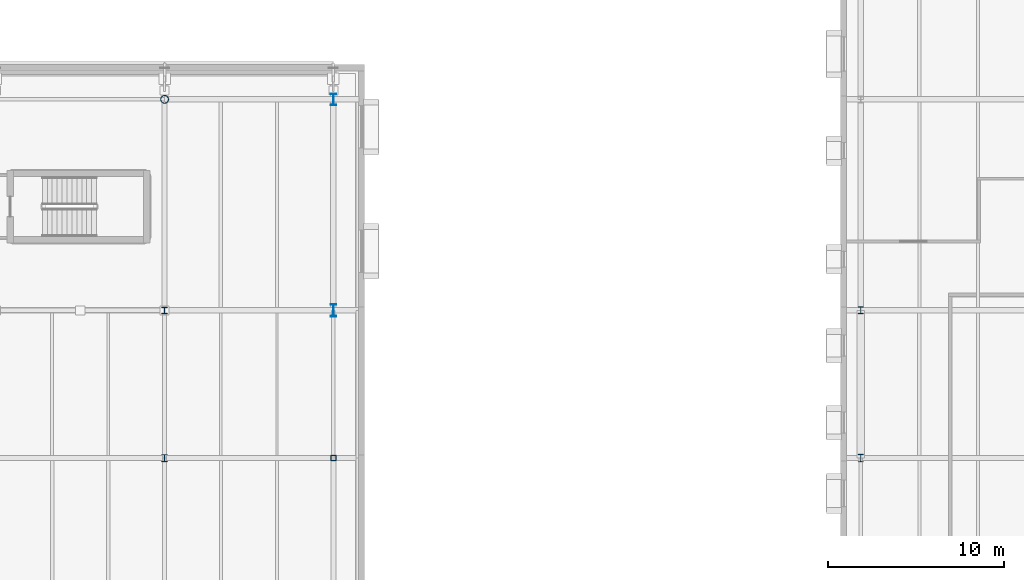
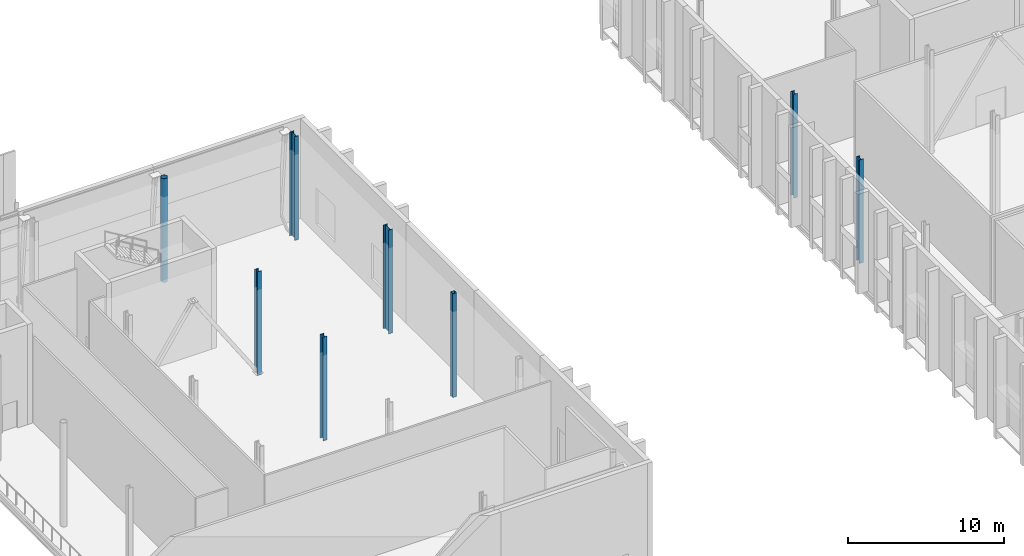
# One storey, part 10 of 79: 8 columns.
"""IFC4 building model written with IfcOpenShell, lengths in metres."""

from ifc_helpers import new_model, si_unit, direction, frame, origin, origin_2d, place, context, subcontext, project, spatial, hollow_rectangle, hollow_circle, i_section, extrude, material, material_profile, profile_set, type_object, element, save


model = new_model("IFC4")

# Units and contexts
model_context = context("Model", 3, precision=1e-05, world=origin(), true_north=direction((0.0, 1.0)))
body_context = subcontext(model_context, "Body", "Model", "MODEL_VIEW")
ifc_project = project(units=[si_unit("LENGTHUNIT", "METRE"), si_unit("AREAUNIT", "SQUARE_METRE"), si_unit("VOLUMEUNIT", "CUBIC_METRE"), si_unit("PLANEANGLEUNIT", "RADIAN"), si_unit("MASSUNIT", "GRAM", prefix="KILO")], contexts=[model_context])

# Site, building, storey
site_placement = place(None, origin())
site = spatial("IfcSite", under=ifc_project, at=site_placement, CompositionType="ELEMENT")
building_placement = place(site_placement, origin())
building = spatial("IfcBuilding", under=site, at=building_placement, Name="Zereglee Splitstone Museum", CompositionType="ELEMENT")
storey_placement = place(building_placement, frame((0.0, 0.0, 9.0)))
storey = spatial("IfcBuildingStorey", under=building, at=storey_placement, Name="L02", CompositionType="ELEMENT", Elevation=9.0)

# Columns
ifc_material_1 = material(Name="Steel S355J2H", Category="steel")
ifc_material_profile_1 = material_profile(ifc_material_1, hollow_circle(Radius=0.228515625, WallThickness=0.02001953125, at=origin_2d()), Name="CHS 457.0x20")
ifc_profile_set_1 = profile_set([ifc_material_profile_1], Name="Steel S355J2H")
column_type_1 = type_object("IfcColumnType", Name="C-17", PredefinedType="COLUMN", material=ifc_profile_set_1)
column_1_placement = place(storey_placement, frame((135.60009765625, 50.39990234375, 0.0), z_axis=(0.0, 0.0, 1.0), x_axis=(1.0, 0.0, 0.0)))
element("IfcColumn", 1, at=column_1_placement, inside=storey, type_object=column_type_1, Name="Column 16/F L02", PredefinedType="COLUMN", context=body_context, shape_type="SweptSolid", body=[
    extrude(hollow_circle(Radius=0.228515625, WallThickness=0.02001953125, at=origin_2d()), origin(), (0.0, 0.0, 1.0), 8.10009765625),
])
ifc_material_2 = material(Name="Steel S355J2", Category="steel")
ifc_material_profile_2 = material_profile(ifc_material_2, i_section(OverallWidth=0.300048828125, OverallDepth=0.360107421875, WebThickness=0.012451171875, FlangeThickness=0.0224609375, FilletRadius=0.027099609375, at=origin_2d()), Name="HE 360 B")
ifc_profile_set_2 = profile_set([ifc_material_profile_2], Name="Steel S355J2")
column_type_2 = type_object("IfcColumnType", Name="C-16", PredefinedType="COLUMN", material=ifc_profile_set_2)
column_2_placement = place(storey_placement, frame((135.60009765625, 38.39990234375, 0.0), z_axis=(0.0, 0.0, 1.0), x_axis=(1.0, 0.0, 0.0)))
element("IfcColumn", 2, at=column_2_placement, inside=storey, type_object=column_type_2, Name="Column 16/E L02", PredefinedType="COLUMN", context=body_context, shape_type="SweptSolid", body=[
    extrude(i_section(OverallWidth=0.300048828125, OverallDepth=0.360107421875, WebThickness=0.012451171875, FlangeThickness=0.0224609375, FilletRadius=0.027099609375, at=origin_2d()), origin(), (0.0, 0.0, 1.0), 8.10009765625),
])
ifc_material_profile_3 = material_profile(ifc_material_2, i_section(OverallWidth=0.300048828125, OverallDepth=0.39990234375, WebThickness=0.013427734375, FlangeThickness=0.02392578125, FilletRadius=0.027099609375, at=origin_2d()), Name="HE 400 B")
ifc_profile_set_3 = profile_set([ifc_material_profile_3], Name="Steel S355J2")
column_type_3 = type_object("IfcColumnType", Name="C-15", PredefinedType="COLUMN", material=ifc_profile_set_3)
for number, where, z_axis, x_axis, name in (
    (3, (135.60009765625, 30.0, 0.0), (0.0, 0.0, 1.0), (1.0, 0.0, 0.0), "Column 16/D L02"),
    (4, (175.199951171875, 38.39990234375, 0.0), (0.0, 0.0, 1.0), (1.0, 0.0, 0.0), "Column 20/E L02"),
):
    element("IfcColumn", number, at=place(storey_placement, frame(where, z_axis=z_axis, x_axis=x_axis)), inside=storey, type_object=column_type_3, Name=name, PredefinedType="COLUMN", context=body_context, shape_type="SweptSolid", body=[
        extrude(i_section(OverallWidth=0.300048828125, OverallDepth=0.39990234375, WebThickness=0.013427734375, FlangeThickness=0.02392578125, FilletRadius=0.027099609375, at=origin_2d()), origin(), (0.0, 0.0, 1.0), 8.10009765625),
    ])
ifc_material_profile_4 = material_profile(ifc_material_2, i_section(OverallWidth=0.300048828125, OverallDepth=0.449951171875, WebThickness=0.013916015625, FlangeThickness=0.02587890625, FilletRadius=0.027099609375, at=origin_2d()), Name="HE 450 B")
ifc_profile_set_4 = profile_set([ifc_material_profile_4], Name="Steel S355J2")
column_type_4 = type_object("IfcColumnType", Name="C-14", PredefinedType="COLUMN", material=ifc_profile_set_4)
column_3_placement = place(storey_placement, frame((175.199951171875, 30.0, 0.0), z_axis=(0.0, 0.0, 1.0), x_axis=(1.0, 0.0, 0.0)))
element("IfcColumn", 5, at=column_3_placement, inside=storey, type_object=column_type_4, Name="Column 20/D L02", PredefinedType="COLUMN", context=body_context, shape_type="SweptSolid", body=[
    extrude(i_section(OverallWidth=0.300048828125, OverallDepth=0.449951171875, WebThickness=0.013916015625, FlangeThickness=0.02587890625, FilletRadius=0.027099609375, at=origin_2d()), origin(), (0.0, 0.0, 1.0), 8.10009765625),
])
ifc_material_profile_5 = material_profile(ifc_material_2, i_section(OverallWidth=0.300048828125, OverallDepth=0.64990234375, WebThickness=0.01611328125, FlangeThickness=0.031005859375, FilletRadius=0.027099609375, at=origin_2d()), Name="HE 650 B")
ifc_profile_set_5 = profile_set([ifc_material_profile_5], Name="Steel S355J2")
column_type_5 = type_object("IfcColumnType", Name="C-10", PredefinedType="COLUMN", material=ifc_profile_set_5)
column_4_placement = place(storey_placement, frame((145.199951171875, 50.39990234375, 0.0), z_axis=(0.0, 0.0, 1.0), x_axis=(1.0, 0.0, 0.0)))
element("IfcColumn", 6, at=column_4_placement, inside=storey, type_object=column_type_5, Name="Column 17/F L02", PredefinedType="COLUMN", context=body_context, shape_type="SweptSolid", body=[
    extrude(i_section(OverallWidth=0.300048828125, OverallDepth=0.64990234375, WebThickness=0.01611328125, FlangeThickness=0.031005859375, FilletRadius=0.027099609375, at=origin_2d()), origin(), (0.0, 0.0, 1.0), 8.10009765625),
])
ifc_material_profile_6 = material_profile(ifc_material_2, i_section(OverallWidth=0.300048828125, OverallDepth=0.699951171875, WebThickness=0.01708984375, FlangeThickness=0.031982421875, FilletRadius=0.027099609375, at=origin_2d()), Name="HE 700 B")
ifc_profile_set_6 = profile_set([ifc_material_profile_6], Name="Steel S355J2")
column_type_6 = type_object("IfcColumnType", Name="C-09", PredefinedType="COLUMN", material=ifc_profile_set_6)
column_5_placement = place(storey_placement, frame((145.199951171875, 38.39990234375, 0.0), z_axis=(0.0, 0.0, 1.0), x_axis=(1.0, 0.0, 0.0)))
element("IfcColumn", 7, at=column_5_placement, inside=storey, type_object=column_type_6, Name="Column 17/E L02", PredefinedType="COLUMN", context=body_context, shape_type="SweptSolid", body=[
    extrude(i_section(OverallWidth=0.300048828125, OverallDepth=0.699951171875, WebThickness=0.01708984375, FlangeThickness=0.031982421875, FilletRadius=0.027099609375, at=origin_2d()), origin(), (0.0, 0.0, 1.0), 8.10009765625),
])
ifc_material_profile_7 = material_profile(ifc_material_1, hollow_rectangle(XDim=0.300048828125, YDim=0.300048828125, WallThickness=0.01611328125, at=origin_2d()), Name="SHS 300x300x16")
ifc_profile_set_7 = profile_set([ifc_material_profile_7], Name="Steel S355J2H")
column_type_7 = type_object("IfcColumnType", Name="C-20", PredefinedType="COLUMN", material=ifc_profile_set_7)
column_6_placement = place(storey_placement, frame((145.199951171875, 30.0, 0.0), z_axis=(0.0, 0.0, 1.0), x_axis=(1.0, 0.0, 0.0)))
element("IfcColumn", 8, at=column_6_placement, inside=storey, type_object=column_type_7, Name="Column 17/D L02", PredefinedType="COLUMN", context=body_context, shape_type="SweptSolid", body=[
    extrude(hollow_rectangle(XDim=0.300048828125, YDim=0.300048828125, WallThickness=0.01611328125, at=origin_2d()), origin(), (0.0, 0.0, 1.0), 8.10009765625),
])

save(model, "model.ifc")
